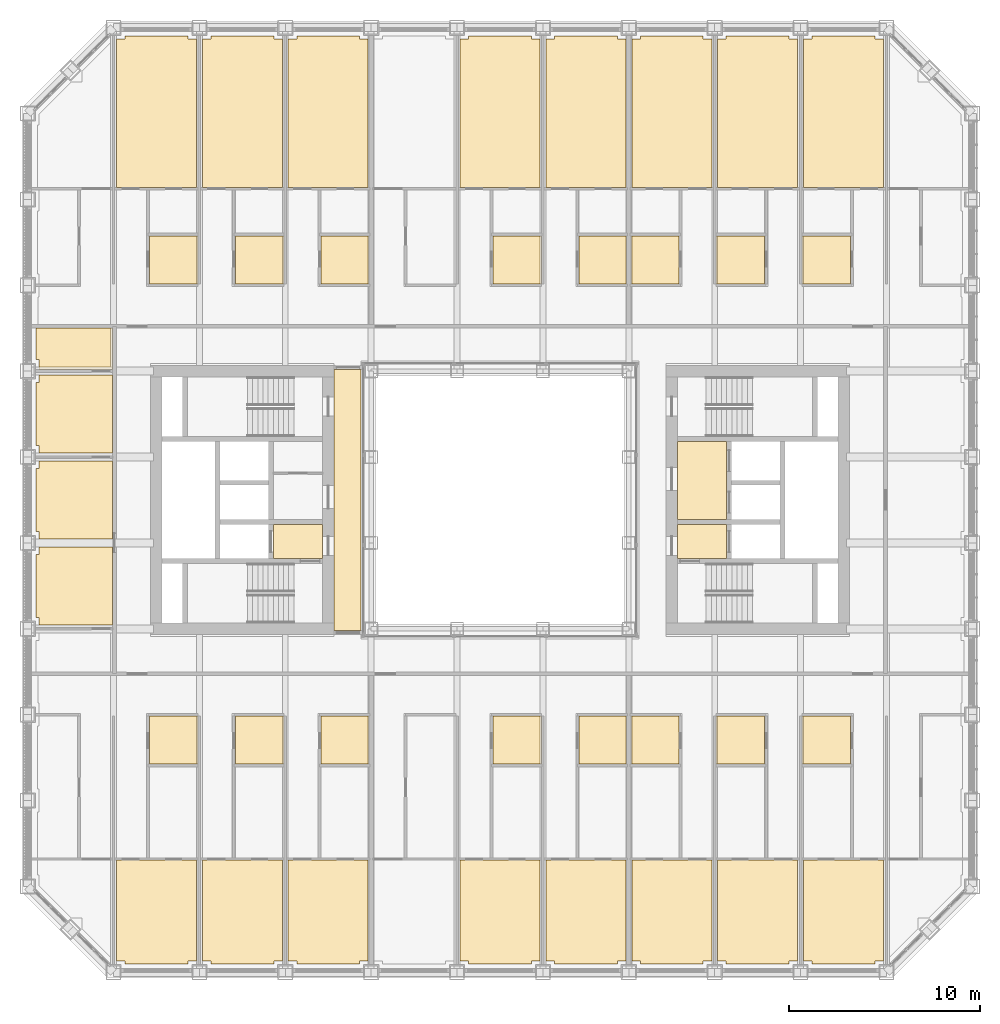
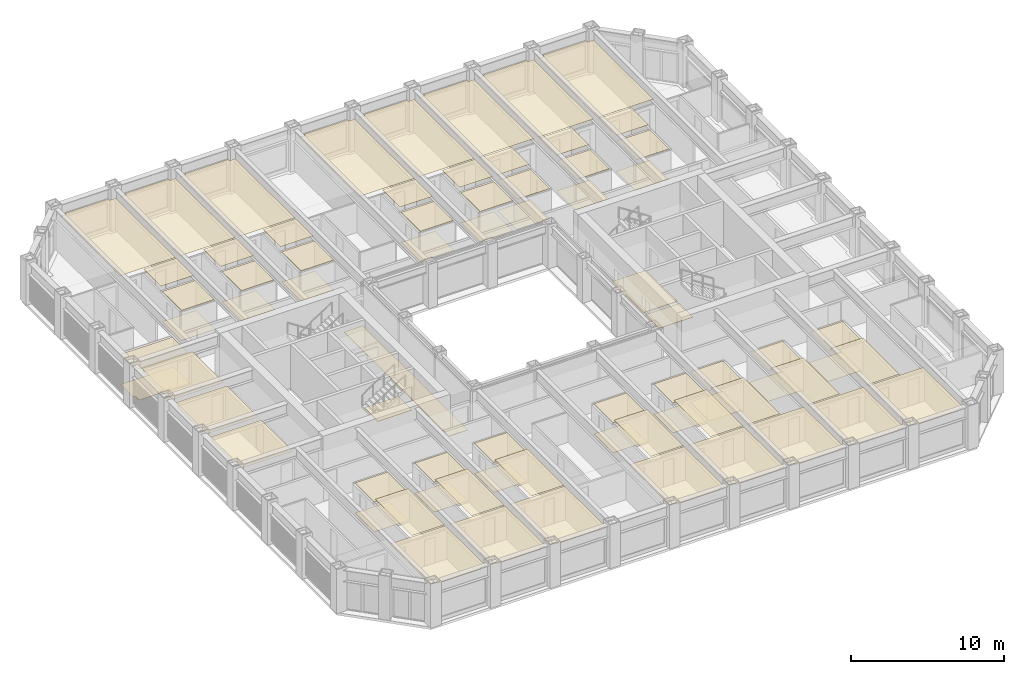
# One storey, part 19 of 21: 4 coverings.
"""IFC4 building model written with IfcOpenShell, lengths in metres."""

from ifc_helpers import new_model, si_unit, direction, frame, origin, place, context, subcontext, project, spatial, line, indexed_curve, outline, extrude, material, layer, layer_set, type_object, element, save


model = new_model("IFC4")

# Units and contexts
model_context = context("Model", 3, precision=1e-05, world=origin(), true_north=direction((0.0, 1.0)))
body_context = subcontext(model_context, "Body", "Model", "MODEL_VIEW")
ifc_project = project(units=[si_unit("LENGTHUNIT", "METRE"), si_unit("AREAUNIT", "SQUARE_METRE"), si_unit("VOLUMEUNIT", "CUBIC_METRE"), si_unit("PLANEANGLEUNIT", "RADIAN"), si_unit("MASSUNIT", "GRAM", prefix="KILO")], contexts=[model_context])

# Site, building, storey
site_placement = place(None, origin())
site = spatial("IfcSite", under=ifc_project, at=site_placement, CompositionType="ELEMENT")
building_placement = place(site_placement, origin())
building = spatial("IfcBuilding", under=site, at=building_placement, Name="Msasa Ring Tower", CompositionType="ELEMENT")
storey_placement = place(building_placement, frame((0.0, 0.0, 89.5)))
storey = spatial("IfcBuildingStorey", under=building, at=storey_placement, Name="L23", CompositionType="ELEMENT", Elevation=89.5)

# Coverings
ifc_material_1 = material(Name="Gypsum plasterboard on a steel suspension grid", Category="steel")
ifc_layer_1 = layer(ifc_material_1, 0.014892578125)
ifc_layer_set_1 = layer_set([ifc_layer_1], Name="C1 SUSPENDED PLASTERBOARD CEILING 15")
covering_type_1 = type_object("IfcCoveringType", Name="C1 SUSPENDED PLASTERBOARD CEILING 15", PredefinedType="CEILING", material=ifc_layer_set_1)
covering_1_placement = place(storey_placement, frame((0.0, 0.0, 2.699951171875)))
element("IfcCovering", 1, at=covering_1_placement, inside=storey, type_object=covering_type_1, Name="Suspended Plasterboard Ceiling 15 L23", PredefinedType="CEILING", context=body_context, shape_type="SweptSolid", body=[
    extrude(outline(indexed_curve([(-24.299560546875, -2.8505859375), (-24.1494140625, -2.8505859375), (-24.1494140625, -2.460693359375), (-20.300537109375, -2.460693359375), (-20.300537109375, -6.539306640625), (-24.1494140625, -6.539306640625), (-24.1494140625, -6.1494140625), (-24.299560546875, -6.1494140625)], segments=[line(1, 2, 3, 4, 5, 6, 7, 8, 1)], self_intersect=False)), origin(), (0.0, 0.0, 1.0), 0.01513671875),
    extrude(outline(indexed_curve([(-24.299560546875, 1.6494140625), (-24.1494140625, 1.6494140625), (-24.1494140625, 2.039306640625), (-20.300537109375, 2.039306640625), (-20.300537109375, -2.039306640625), (-24.1494140625, -2.039306640625), (-24.1494140625, -1.6494140625), (-24.299560546875, -1.6494140625)], segments=[line(1, 2, 3, 4, 5, 6, 7, 8, 1)], self_intersect=False)), origin(), (0.0, 0.0, 1.0), 0.01513671875),
    extrude(outline(indexed_curve([(-24.299560546875, 6.1494140625), (-24.1494140625, 6.1494140625), (-24.1494140625, 6.539306640625), (-20.300537109375, 6.539306640625), (-20.300537109375, 2.460693359375), (-24.1494140625, 2.460693359375), (-24.1494140625, 2.8505859375), (-24.299560546875, 2.8505859375)], segments=[line(1, 2, 3, 4, 5, 6, 7, 8, 1)], self_intersect=False)), origin(), (0.0, 0.0, 1.0), 0.01513671875),
    extrude(outline(indexed_curve([(-15.904296875, -18.867919921875), (-15.904296875, -24.1494140625), (-16.3505859375, -24.1494140625), (-16.3505859375, -24.299560546875), (-19.6494140625, -24.299560546875), (-19.6494140625, -24.1494140625), (-20.095703125, -24.1494140625), (-20.095703125, -18.867919921875)], segments=[line(1, 2, 3, 4, 5, 6, 7, 8, 1)], self_intersect=False)), origin(), (0.0, 0.0, 1.0), 0.01513671875),
    extrude(outline(indexed_curve([(-16.3505859375, 24.299560546875), (-16.3505859375, 24.1494140625), (-15.904296875, 24.1494140625), (-15.904296875, 16.367919921875), (-20.095703125, 16.367919921875), (-20.095703125, 24.1494140625), (-19.6494140625, 24.1494140625), (-19.6494140625, 24.299560546875)], segments=[line(1, 2, 3, 4, 5, 6, 7, 8, 1)], self_intersect=False)), origin(), (0.0, 0.0, 1.0), 0.01513671875),
    extrude(outline(indexed_curve([(-15.904296875, -13.992919921875), (-15.904296875, -18.757080078125), (-18.369384765625, -18.757080078125), (-18.369384765625, -13.992919921875)], segments=[line(1, 2, 3, 4, 1)], self_intersect=False)), origin(), (0.0, 0.0, 1.0), 0.01513671875),
    extrude(outline(indexed_curve([(-15.904296875, 16.257080078125), (-15.904296875, 13.992919921875), (-18.369384765625, 13.992919921875), (-18.369384765625, 16.257080078125)], segments=[line(1, 2, 3, 4, 1)], self_intersect=False)), origin(), (0.0, 0.0, 1.0), 0.01513671875),
    extrude(outline(indexed_curve([(-15.1494140625, -24.299560546875), (-15.1494140625, -24.1494140625), (-15.595703125, -24.1494140625), (-15.595703125, -18.867919921875), (-11.404296875, -18.867919921875), (-11.404296875, -24.1494140625), (-11.8505859375, -24.1494140625), (-11.8505859375, -24.299560546875)], segments=[line(1, 2, 3, 4, 5, 6, 7, 8, 1)], self_intersect=False)), origin(), (0.0, 0.0, 1.0), 0.01513671875),
    extrude(outline(indexed_curve([(-11.8505859375, 24.299560546875), (-11.8505859375, 24.1494140625), (-11.404296875, 24.1494140625), (-11.404296875, 16.367919921875), (-15.595703125, 16.367919921875), (-15.595703125, 24.1494140625), (-15.1494140625, 24.1494140625), (-15.1494140625, 24.299560546875)], segments=[line(1, 2, 3, 4, 5, 6, 7, 8, 1)], self_intersect=False)), origin(), (0.0, 0.0, 1.0), 0.01513671875),
    extrude(outline(indexed_curve([(-11.404296875, -13.992919921875), (-11.404296875, -18.757080078125), (-13.869384765625, -18.757080078125), (-13.869384765625, -13.992919921875)], segments=[line(1, 2, 3, 4, 1)], self_intersect=False)), origin(), (0.0, 0.0, 1.0), 0.01513671875),
    extrude(outline(indexed_curve([(-11.404296875, 16.257080078125), (-11.404296875, 13.992919921875), (-13.869384765625, 13.992919921875), (-13.869384765625, 16.257080078125)], segments=[line(1, 2, 3, 4, 1)], self_intersect=False)), origin(), (0.0, 0.0, 1.0), 0.01513671875),
    extrude(outline(indexed_curve([(-10.6494140625, -24.299560546875), (-10.6494140625, -24.1494140625), (-11.095703125, -24.1494140625), (-11.095703125, -18.867919921875), (-6.904296875, -18.867919921875), (-6.904296875, -24.1494140625), (-7.3505859375, -24.1494140625), (-7.3505859375, -24.299560546875)], segments=[line(1, 2, 3, 4, 5, 6, 7, 8, 1)], self_intersect=False)), origin(), (0.0, 0.0, 1.0), 0.01513671875),
    extrude(outline(indexed_curve([(-7.3505859375, 24.299560546875), (-7.3505859375, 24.1494140625), (-6.904296875, 24.1494140625), (-6.904296875, 16.367919921875), (-11.095703125, 16.367919921875), (-11.095703125, 24.1494140625), (-10.6494140625, 24.1494140625), (-10.6494140625, 24.299560546875)], segments=[line(1, 2, 3, 4, 5, 6, 7, 8, 1)], self_intersect=False)), origin(), (0.0, 0.0, 1.0), 0.01513671875),
    extrude(outline(indexed_curve([(-6.904296875, -13.992919921875), (-6.904296875, -18.757080078125), (-9.369384765625, -18.757080078125), (-9.369384765625, -13.992919921875)], segments=[line(1, 2, 3, 4, 1)], self_intersect=False)), origin(), (0.0, 0.0, 1.0), 0.01513671875),
    extrude(outline(indexed_curve([(-6.904296875, 16.257080078125), (-6.904296875, 13.992919921875), (-9.369384765625, 13.992919921875), (-9.369384765625, 16.257080078125)], segments=[line(1, 2, 3, 4, 1)], self_intersect=False)), origin(), (0.0, 0.0, 1.0), 0.01513671875),
    extrude(outline(indexed_curve([(-1.6494140625, -24.299560546875), (-1.6494140625, -24.1494140625), (-2.095703125, -24.1494140625), (-2.095703125, -18.867919921875), (2.095703125, -18.867919921875), (2.095703125, -24.1494140625), (1.6494140625, -24.1494140625), (1.6494140625, -24.299560546875)], segments=[line(1, 2, 3, 4, 5, 6, 7, 8, 1)], self_intersect=False)), origin(), (0.0, 0.0, 1.0), 0.01513671875),
    extrude(outline(indexed_curve([(1.6494140625, 24.299560546875), (1.6494140625, 24.1494140625), (2.095703125, 24.1494140625), (2.095703125, 16.367919921875), (-2.095703125, 16.367919921875), (-2.095703125, 24.1494140625), (-1.6494140625, 24.1494140625), (-1.6494140625, 24.299560546875)], segments=[line(1, 2, 3, 4, 5, 6, 7, 8, 1)], self_intersect=False)), origin(), (0.0, 0.0, 1.0), 0.01513671875),
    extrude(outline(indexed_curve([(2.095703125, -13.992919921875), (2.095703125, -18.757080078125), (-0.369384765625, -18.757080078125), (-0.369384765625, -13.992919921875)], segments=[line(1, 2, 3, 4, 1)], self_intersect=False)), origin(), (0.0, 0.0, 1.0), 0.01513671875),
    extrude(outline(indexed_curve([(2.095703125, 16.257080078125), (2.095703125, 13.992919921875), (-0.369384765625, 13.992919921875), (-0.369384765625, 16.257080078125)], segments=[line(1, 2, 3, 4, 1)], self_intersect=False)), origin(), (0.0, 0.0, 1.0), 0.01513671875),
    extrude(outline(indexed_curve([(2.8505859375, -24.299560546875), (2.8505859375, -24.1494140625), (2.404296875, -24.1494140625), (2.404296875, -18.867919921875), (6.595703125, -18.867919921875), (6.595703125, -24.1494140625), (6.1494140625, -24.1494140625), (6.1494140625, -24.299560546875)], segments=[line(1, 2, 3, 4, 5, 6, 7, 8, 1)], self_intersect=False)), origin(), (0.0, 0.0, 1.0), 0.01513671875),
    extrude(outline(indexed_curve([(6.1494140625, 24.299560546875), (6.1494140625, 24.1494140625), (6.595703125, 24.1494140625), (6.595703125, 16.367919921875), (2.404296875, 16.367919921875), (2.404296875, 24.1494140625), (2.8505859375, 24.1494140625), (2.8505859375, 24.299560546875)], segments=[line(1, 2, 3, 4, 5, 6, 7, 8, 1)], self_intersect=False)), origin(), (0.0, 0.0, 1.0), 0.01513671875),
    extrude(outline(indexed_curve([(6.595703125, -13.992919921875), (6.595703125, -18.757080078125), (4.130615234375, -18.757080078125), (4.130615234375, -13.992919921875)], segments=[line(1, 2, 3, 4, 1)], self_intersect=False)), origin(), (0.0, 0.0, 1.0), 0.01513671875),
    extrude(outline(indexed_curve([(6.595703125, 16.257080078125), (6.595703125, 13.992919921875), (4.130615234375, 13.992919921875), (4.130615234375, 16.257080078125)], segments=[line(1, 2, 3, 4, 1)], self_intersect=False)), origin(), (0.0, 0.0, 1.0), 0.01513671875),
    extrude(outline(indexed_curve([(7.3505859375, -24.299560546875), (7.3505859375, -24.1494140625), (6.904296875, -24.1494140625), (6.904296875, -18.867919921875), (11.095703125, -18.867919921875), (11.095703125, -24.1494140625), (10.6494140625, -24.1494140625), (10.6494140625, -24.299560546875)], segments=[line(1, 2, 3, 4, 5, 6, 7, 8, 1)], self_intersect=False)), origin(), (0.0, 0.0, 1.0), 0.01513671875),
    extrude(outline(indexed_curve([(9.369384765625, -13.992919921875), (9.369384765625, -18.757080078125), (6.904296875, -18.757080078125), (6.904296875, -13.992919921875)], segments=[line(1, 2, 3, 4, 1)], self_intersect=False)), origin(), (0.0, 0.0, 1.0), 0.01513671875),
    extrude(outline(indexed_curve([(9.369384765625, 16.257080078125), (9.369384765625, 13.992919921875), (6.904296875, 13.992919921875), (6.904296875, 16.257080078125)], segments=[line(1, 2, 3, 4, 1)], self_intersect=False)), origin(), (0.0, 0.0, 1.0), 0.01513671875),
    extrude(outline(indexed_curve([(10.6494140625, 24.299560546875), (10.6494140625, 24.1494140625), (11.095703125, 24.1494140625), (11.095703125, 16.367919921875), (6.904296875, 16.367919921875), (6.904296875, 24.1494140625), (7.3505859375, 24.1494140625), (7.3505859375, 24.299560546875)], segments=[line(1, 2, 3, 4, 5, 6, 7, 8, 1)], self_intersect=False)), origin(), (0.0, 0.0, 1.0), 0.01513671875),
    extrude(outline(indexed_curve([(11.8505859375, -24.299560546875), (11.8505859375, -24.1494140625), (11.404296875, -24.1494140625), (11.404296875, -18.867919921875), (15.595703125, -18.867919921875), (15.595703125, -24.1494140625), (15.1494140625, -24.1494140625), (15.1494140625, -24.299560546875)], segments=[line(1, 2, 3, 4, 5, 6, 7, 8, 1)], self_intersect=False)), origin(), (0.0, 0.0, 1.0), 0.01513671875),
    extrude(outline(indexed_curve([(13.869384765625, -13.992919921875), (13.869384765625, -18.757080078125), (11.404296875, -18.757080078125), (11.404296875, -13.992919921875)], segments=[line(1, 2, 3, 4, 1)], self_intersect=False)), origin(), (0.0, 0.0, 1.0), 0.01513671875),
    extrude(outline(indexed_curve([(13.869384765625, 16.257080078125), (13.869384765625, 13.992919921875), (11.404296875, 13.992919921875), (11.404296875, 16.257080078125)], segments=[line(1, 2, 3, 4, 1)], self_intersect=False)), origin(), (0.0, 0.0, 1.0), 0.01513671875),
    extrude(outline(indexed_curve([(15.1494140625, 24.299560546875), (15.1494140625, 24.1494140625), (15.595703125, 24.1494140625), (15.595703125, 16.367919921875), (11.404296875, 16.367919921875), (11.404296875, 24.1494140625), (11.8505859375, 24.1494140625), (11.8505859375, 24.299560546875)], segments=[line(1, 2, 3, 4, 5, 6, 7, 8, 1)], self_intersect=False)), origin(), (0.0, 0.0, 1.0), 0.01513671875),
    extrude(outline(indexed_curve([(20.095703125, -18.867919921875), (20.095703125, -24.1494140625), (19.6494140625, -24.1494140625), (19.6494140625, -24.299560546875), (16.3505859375, -24.299560546875), (16.3505859375, -24.1494140625), (15.904296875, -24.1494140625), (15.904296875, -18.867919921875)], segments=[line(1, 2, 3, 4, 5, 6, 7, 8, 1)], self_intersect=False)), origin(), (0.0, 0.0, 1.0), 0.01513671875),
    extrude(outline(indexed_curve([(18.369384765625, -13.992919921875), (18.369384765625, -18.757080078125), (15.904296875, -18.757080078125), (15.904296875, -13.992919921875)], segments=[line(1, 2, 3, 4, 1)], self_intersect=False)), origin(), (0.0, 0.0, 1.0), 0.01513671875),
    extrude(outline(indexed_curve([(18.369384765625, 16.257080078125), (18.369384765625, 13.992919921875), (15.904296875, 13.992919921875), (15.904296875, 16.257080078125)], segments=[line(1, 2, 3, 4, 1)], self_intersect=False)), origin(), (0.0, 0.0, 1.0), 0.01513671875),
    extrude(outline(indexed_curve([(19.6494140625, 24.299560546875), (19.6494140625, 24.1494140625), (20.095703125, 24.1494140625), (20.095703125, 16.367919921875), (15.904296875, 16.367919921875), (15.904296875, 24.1494140625), (16.3505859375, 24.1494140625), (16.3505859375, 24.299560546875)], segments=[line(1, 2, 3, 4, 5, 6, 7, 8, 1)], self_intersect=False)), origin(), (0.0, 0.0, 1.0), 0.01513671875),
])
ifc_material_2 = material(Name="Moisture-resistant gypsum plasterboard on a steel suspension grid", Category="steel")
ifc_layer_2 = layer(ifc_material_2, 0.014892578125)
ifc_layer_set_2 = layer_set([ifc_layer_2], Name="C2 MOISTURE-RESISTANT PLASTERBOARD CEILING 15")
covering_type_2 = type_object("IfcCoveringType", Name="C2 MOISTURE-RESISTANT PLASTERBOARD CEILING 15", PredefinedType="CEILING", material=ifc_layer_set_2)
covering_2_placement = place(storey_placement, frame((0.0, 0.0, 2.39990234375)))
element("IfcCovering", 2, at=covering_2_placement, inside=storey, type_object=covering_type_2, Name="Moisture-Resistant Plasterboard Ceiling 15 L23", PredefinedType="CEILING", context=body_context, shape_type="SweptSolid", body=[
    extrude(outline(indexed_curve([(-24.299560546875, 8.99951171875), (-20.404296875, 8.99951171875), (-20.404296875, 6.960693359375), (-24.1494140625, 6.960693359375), (-24.1494140625, 7.3505859375), (-24.299560546875, 7.3505859375)], segments=[line(1, 2, 3, 4, 5, 6, 1)], self_intersect=False)), origin(), (0.0, 0.0, 1.0), 0.01513671875),
    extrude(outline(indexed_curve([(-18.369384765625, -11.318115234375), (-15.904296875, -11.318115234375), (-15.904296875, -13.83203125), (-18.369384765625, -13.83203125)], segments=[line(1, 2, 3, 4, 1)], self_intersect=False)), origin(), (0.0, 0.0, 1.0), 0.01513671875),
    extrude(outline(indexed_curve([(-18.369384765625, 13.83203125), (-15.904296875, 13.83203125), (-15.904296875, 11.318115234375), (-18.369384765625, 11.318115234375)], segments=[line(1, 2, 3, 4, 1)], self_intersect=False)), origin(), (0.0, 0.0, 1.0), 0.01513671875),
    extrude(outline(indexed_curve([(-13.869384765625, -11.318115234375), (-11.404296875, -11.318115234375), (-11.404296875, -13.83203125), (-13.869384765625, -13.83203125)], segments=[line(1, 2, 3, 4, 1)], self_intersect=False)), origin(), (0.0, 0.0, 1.0), 0.01513671875),
    extrude(outline(indexed_curve([(-13.869384765625, 13.83203125), (-11.404296875, 13.83203125), (-11.404296875, 11.318115234375), (-13.869384765625, 11.318115234375)], segments=[line(1, 2, 3, 4, 1)], self_intersect=False)), origin(), (0.0, 0.0, 1.0), 0.01513671875),
    extrude(outline(indexed_curve([(-9.369384765625, -11.318115234375), (-6.904296875, -11.318115234375), (-6.904296875, -13.83203125), (-9.369384765625, -13.83203125)], segments=[line(1, 2, 3, 4, 1)], self_intersect=False)), origin(), (0.0, 0.0, 1.0), 0.01513671875),
    extrude(outline(indexed_curve([(-9.369384765625, 13.83203125), (-6.904296875, 13.83203125), (-6.904296875, 11.318115234375), (-9.369384765625, 11.318115234375)], segments=[line(1, 2, 3, 4, 1)], self_intersect=False)), origin(), (0.0, 0.0, 1.0), 0.01513671875),
    extrude(outline(indexed_curve([(-0.369384765625, -11.318115234375), (2.095703125, -11.318115234375), (2.095703125, -13.83203125), (-0.369384765625, -13.83203125)], segments=[line(1, 2, 3, 4, 1)], self_intersect=False)), origin(), (0.0, 0.0, 1.0), 0.01513671875),
    extrude(outline(indexed_curve([(-0.369384765625, 13.83203125), (2.095703125, 13.83203125), (2.095703125, 11.318115234375), (-0.369384765625, 11.318115234375)], segments=[line(1, 2, 3, 4, 1)], self_intersect=False)), origin(), (0.0, 0.0, 1.0), 0.01513671875),
    extrude(outline(indexed_curve([(4.130615234375, -11.318115234375), (6.595703125, -11.318115234375), (6.595703125, -13.83203125), (4.130615234375, -13.83203125)], segments=[line(1, 2, 3, 4, 1)], self_intersect=False)), origin(), (0.0, 0.0, 1.0), 0.01513671875),
    extrude(outline(indexed_curve([(4.130615234375, 13.83203125), (6.595703125, 13.83203125), (6.595703125, 11.318115234375), (4.130615234375, 11.318115234375)], segments=[line(1, 2, 3, 4, 1)], self_intersect=False)), origin(), (0.0, 0.0, 1.0), 0.01513671875),
    extrude(outline(indexed_curve([(9.369384765625, -11.318115234375), (9.369384765625, -13.83203125), (6.904296875, -13.83203125), (6.904296875, -11.318115234375)], segments=[line(1, 2, 3, 4, 1)], self_intersect=False)), origin(), (0.0, 0.0, 1.0), 0.01513671875),
    extrude(outline(indexed_curve([(9.369384765625, 13.83203125), (9.369384765625, 11.318115234375), (6.904296875, 11.318115234375), (6.904296875, 13.83203125)], segments=[line(1, 2, 3, 4, 1)], self_intersect=False)), origin(), (0.0, 0.0, 1.0), 0.01513671875),
    extrude(outline(indexed_curve([(13.869384765625, -11.318115234375), (13.869384765625, -13.83203125), (11.404296875, -13.83203125), (11.404296875, -11.318115234375)], segments=[line(1, 2, 3, 4, 1)], self_intersect=False)), origin(), (0.0, 0.0, 1.0), 0.01513671875),
    extrude(outline(indexed_curve([(13.869384765625, 13.83203125), (13.869384765625, 11.318115234375), (11.404296875, 11.318115234375), (11.404296875, 13.83203125)], segments=[line(1, 2, 3, 4, 1)], self_intersect=False)), origin(), (0.0, 0.0, 1.0), 0.01513671875),
    extrude(outline(indexed_curve([(18.369384765625, -11.318115234375), (18.369384765625, -13.83203125), (15.904296875, -13.83203125), (15.904296875, -11.318115234375)], segments=[line(1, 2, 3, 4, 1)], self_intersect=False)), origin(), (0.0, 0.0, 1.0), 0.01513671875),
    extrude(outline(indexed_curve([(18.369384765625, 13.83203125), (18.369384765625, 11.318115234375), (15.904296875, 11.318115234375), (15.904296875, 13.83203125)], segments=[line(1, 2, 3, 4, 1)], self_intersect=False)), origin(), (0.0, 0.0, 1.0), 0.01513671875),
])
ifc_material_3 = material(Name="Honed granite tiles on a mortar bed", Category="masonry")
ifc_layer_3 = layer(ifc_material_3, 0.030029296875)
ifc_layer_set_3 = layer_set([ifc_layer_3], Name="F1 HONED GRANITE ON BEDDING 30")
covering_type_3 = type_object("IfcCoveringType", Name="F1 HONED GRANITE ON BEDDING 30", PredefinedType="FLOORING", material=ifc_layer_set_3)
covering_3_placement = place(storey_placement, origin())
element("IfcCovering", 3, at=covering_3_placement, inside=storey, type_object=covering_type_3, Name="Honed Granite On Bedding 30 L23", PredefinedType="FLOORING", context=body_context, shape_type="SweptSolid", body=[
    extrude(outline(indexed_curve([(-11.87451171875, -3.074462890625), (-11.87451171875, -1.275390625), (-9.300537109375, -1.275390625), (-9.300537109375, -3.074462890625)], segments=[line(1, 2, 3, 4, 1)], self_intersect=False)), origin(), (0.0, 0.0, 1.0), 0.030029296875),
    extrude(outline(indexed_curve([(-8.699462890625, -6.849609375), (-8.699462890625, 6.849609375), (-7.280029296875, 6.849609375), (-7.280029296875, -6.849609375)], segments=[line(1, 2, 3, 4, 1)], self_intersect=False)), origin(), (0.0, 0.0, 1.0), 0.030029296875),
    extrude(outline(indexed_curve([(9.300537109375, -3.074462890625), (9.300537109375, -1.275390625), (11.87451171875, -1.275390625), (11.87451171875, -3.074462890625)], segments=[line(1, 2, 3, 4, 1)], self_intersect=False)), origin(), (0.0, 0.0, 1.0), 0.030029296875),
    extrude(outline(indexed_curve([(9.300537109375, -1.0244140625), (9.300537109375, 3.074462890625), (11.87451171875, 3.074462890625), (11.87451171875, -1.0244140625)], segments=[line(1, 2, 3, 4, 1)], self_intersect=False)), origin(), (0.0, 0.0, 1.0), 0.030029296875),
])
ifc_material_4 = material(Name="Porcelain floor tiles in adhesive", Category="ceramic")
ifc_layer_4 = layer(ifc_material_4, 0.010009765625)
ifc_layer_set_4 = layer_set([ifc_layer_4], Name="F4 PORCELAIN TILE ON ADHESIVE 10")
covering_type_4 = type_object("IfcCoveringType", Name="F4 PORCELAIN TILE ON ADHESIVE 10", PredefinedType="FLOORING", material=ifc_layer_set_4)
covering_4_placement = place(storey_placement, origin())
element("IfcCovering", 4, at=covering_4_placement, inside=storey, type_object=covering_type_4, Name="Porcelain Tile On Adhesive 10 L23", PredefinedType="FLOORING", context=body_context, shape_type="SweptSolid", body=[
    extrude(outline(indexed_curve([(-24.1494140625, 6.83056640625), (-24.1494140625, 7.3505859375), (-24.299560546875, 7.3505859375), (-24.299560546875, 8.99951171875), (-20.300537109375, 8.99951171875), (-20.300537109375, 6.83056640625)], segments=[line(1, 2, 3, 4, 5, 6, 1)], self_intersect=False)), origin(), (0.0, 0.0, 1.0), 0.010009765625),
    extrude(outline(indexed_curve([(-15.818115234375, -11.318115234375), (-15.818115234375, -13.83203125), (-18.369384765625, -13.83203125), (-18.369384765625, -11.318115234375)], segments=[line(1, 2, 3, 4, 1)], self_intersect=False)), origin(), (0.0, 0.0, 1.0), 0.010009765625),
    extrude(outline(indexed_curve([(-15.818115234375, 13.83203125), (-15.818115234375, 11.318115234375), (-18.369384765625, 11.318115234375), (-18.369384765625, 13.83203125)], segments=[line(1, 2, 3, 4, 1)], self_intersect=False)), origin(), (0.0, 0.0, 1.0), 0.010009765625),
    extrude(outline(indexed_curve([(-11.318115234375, -11.318115234375), (-11.318115234375, -13.83203125), (-13.869384765625, -13.83203125), (-13.869384765625, -11.318115234375)], segments=[line(1, 2, 3, 4, 1)], self_intersect=False)), origin(), (0.0, 0.0, 1.0), 0.010009765625),
    extrude(outline(indexed_curve([(-11.318115234375, 13.83203125), (-11.318115234375, 11.318115234375), (-13.869384765625, 11.318115234375), (-13.869384765625, 13.83203125)], segments=[line(1, 2, 3, 4, 1)], self_intersect=False)), origin(), (0.0, 0.0, 1.0), 0.010009765625),
    extrude(outline(indexed_curve([(-6.87548828125, -11.318115234375), (-6.87548828125, -13.83203125), (-9.369384765625, -13.83203125), (-9.369384765625, -11.318115234375)], segments=[line(1, 2, 3, 4, 1)], self_intersect=False)), origin(), (0.0, 0.0, 1.0), 0.010009765625),
    extrude(outline(indexed_curve([(-6.87548828125, 13.83203125), (-6.87548828125, 11.318115234375), (-9.369384765625, 11.318115234375), (-9.369384765625, 13.83203125)], segments=[line(1, 2, 3, 4, 1)], self_intersect=False)), origin(), (0.0, 0.0, 1.0), 0.010009765625),
    extrude(outline(indexed_curve([(2.181884765625, -11.318115234375), (2.181884765625, -13.83203125), (-0.369384765625, -13.83203125), (-0.369384765625, -11.318115234375)], segments=[line(1, 2, 3, 4, 1)], self_intersect=False)), origin(), (0.0, 0.0, 1.0), 0.010009765625),
    extrude(outline(indexed_curve([(2.181884765625, 13.83203125), (2.181884765625, 11.318115234375), (-0.369384765625, 11.318115234375), (-0.369384765625, 13.83203125)], segments=[line(1, 2, 3, 4, 1)], self_intersect=False)), origin(), (0.0, 0.0, 1.0), 0.010009765625),
    extrude(outline(indexed_curve([(6.62451171875, -11.318115234375), (6.62451171875, -13.83203125), (4.130615234375, -13.83203125), (4.130615234375, -11.318115234375)], segments=[line(1, 2, 3, 4, 1)], self_intersect=False)), origin(), (0.0, 0.0, 1.0), 0.010009765625),
    extrude(outline(indexed_curve([(6.62451171875, 13.83203125), (6.62451171875, 11.318115234375), (4.130615234375, 11.318115234375), (4.130615234375, 13.83203125)], segments=[line(1, 2, 3, 4, 1)], self_intersect=False)), origin(), (0.0, 0.0, 1.0), 0.010009765625),
    extrude(outline(indexed_curve([(9.369384765625, -11.318115234375), (9.369384765625, -13.83203125), (6.87548828125, -13.83203125), (6.87548828125, -11.318115234375)], segments=[line(1, 2, 3, 4, 1)], self_intersect=False)), origin(), (0.0, 0.0, 1.0), 0.010009765625),
    extrude(outline(indexed_curve([(9.369384765625, 13.83203125), (9.369384765625, 11.318115234375), (6.87548828125, 11.318115234375), (6.87548828125, 13.83203125)], segments=[line(1, 2, 3, 4, 1)], self_intersect=False)), origin(), (0.0, 0.0, 1.0), 0.010009765625),
    extrude(outline(indexed_curve([(13.869384765625, -11.318115234375), (13.869384765625, -13.83203125), (11.318115234375, -13.83203125), (11.318115234375, -11.318115234375)], segments=[line(1, 2, 3, 4, 1)], self_intersect=False)), origin(), (0.0, 0.0, 1.0), 0.010009765625),
    extrude(outline(indexed_curve([(13.869384765625, 11.318115234375), (11.318115234375, 11.318115234375), (11.318115234375, 13.83203125), (13.869384765625, 13.83203125)], segments=[line(1, 2, 3, 4, 1)], self_intersect=False)), origin(), (0.0, 0.0, 1.0), 0.010009765625),
    extrude(outline(indexed_curve([(18.369384765625, -11.318115234375), (18.369384765625, -13.83203125), (15.818115234375, -13.83203125), (15.818115234375, -11.318115234375)], segments=[line(1, 2, 3, 4, 1)], self_intersect=False)), origin(), (0.0, 0.0, 1.0), 0.010009765625),
    extrude(outline(indexed_curve([(18.369384765625, 11.318115234375), (15.818115234375, 11.318115234375), (15.818115234375, 13.83203125), (18.369384765625, 13.83203125)], segments=[line(1, 2, 3, 4, 1)], self_intersect=False)), origin(), (0.0, 0.0, 1.0), 0.010009765625),
])

save(model, "model.ifc")
